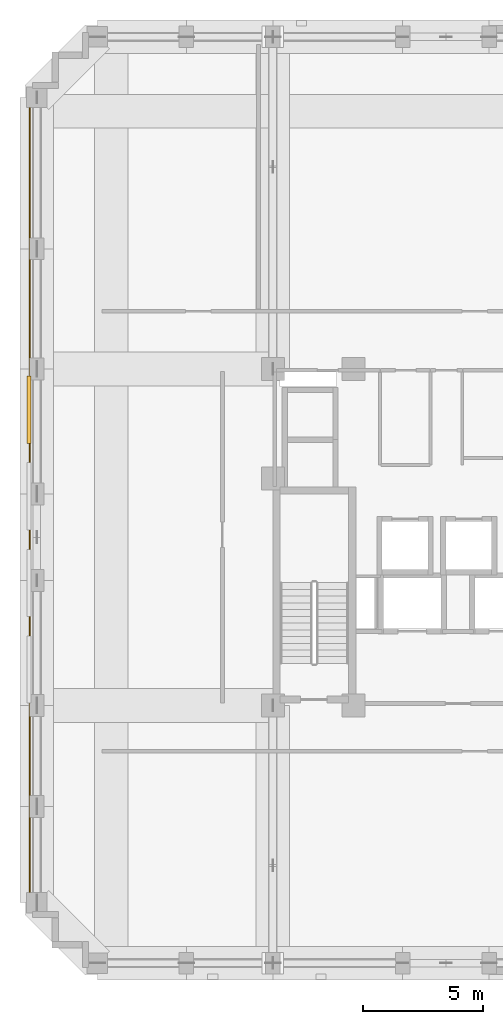
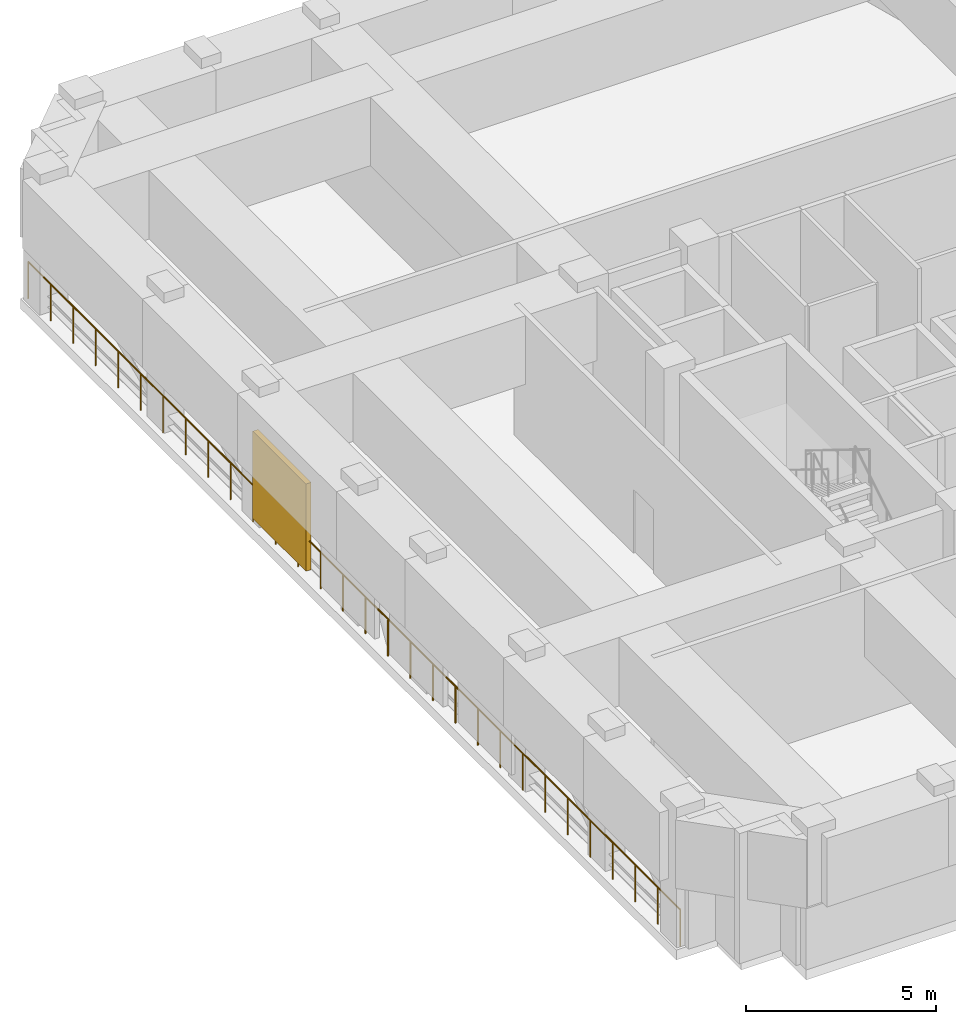
# One storey, part 10 of 12: 1 railing, 1 shading device.
"""IFC4 building model written with IfcOpenShell, lengths in metres."""

from ifc_helpers import new_model, si_unit, derived_unit, direction, frame, origin, origin_2d, place, context, subcontext, project, spatial, rectangle, circle, extrude, material, type_object, element, save


model = new_model("IFC4")

# Units and contexts
model_context = context("Model", 3, precision=1e-05, world=origin(), true_north=direction((0.0, 1.0)))
body_context = subcontext(model_context, "Body", "Model", "MODEL_VIEW")
ifc_project = project(units=[si_unit("LENGTHUNIT", "METRE"), si_unit("AREAUNIT", "SQUARE_METRE"), si_unit("VOLUMEUNIT", "CUBIC_METRE"), si_unit("PLANEANGLEUNIT", "RADIAN"), si_unit("MASSUNIT", "GRAM", prefix="KILO"), derived_unit("THERMALTRANSMITTANCEUNIT", [(si_unit("MASSUNIT", "GRAM", prefix="KILO"), 1), (si_unit("TIMEUNIT", "SECOND"), -3), (si_unit("THERMODYNAMICTEMPERATUREUNIT", "KELVIN"), -1)])], contexts=[model_context])

# Site, building, storey
site_placement = place(None, origin())
site = spatial("IfcSite", under=ifc_project, at=site_placement, CompositionType="ELEMENT")
building_placement = place(site_placement, origin())
building = spatial("IfcBuilding", under=site, at=building_placement, Name="Korrvale Station Residences", CompositionType="ELEMENT")
storey_placement = place(building_placement, frame((0.0, 0.0, 169.89990234375)))
storey = spatial("IfcBuildingStorey", under=building, at=storey_placement, Name="L49", CompositionType="ELEMENT", Elevation=169.89990234375)

# Railing
ifc_material_1 = material(Name="Galvanised steel refuge perimeter guard", Category="steel")
railing_type = type_object("IfcRailingType", Name="RLG-REF-1200", PredefinedType="GUARDRAIL", material=ifc_material_1)
railing_placement = place(storey_placement, frame((7.679931640625, 6.39990234375, 0.0)))
element("IfcRailing", 1, at=railing_placement, inside=storey, type_object=railing_type, Name="L49 Open Refuge Band Perimeter Guard West", PredefinedType="GUARDRAIL", context=body_context, shape_type="SweptSolid", body=[
    extrude(circle(Radius=0.02392578125, at=origin_2d()), frame((0.0, 0.0, 1.17578125), z_axis=(0.0, 1.0, 0.0), x_axis=(-1.0, 0.0, 0.0)), (0.0, 0.0, 1.0), 34.300048828125),
    extrude(circle(Radius=0.02099609375, at=origin_2d()), origin(), (0.0, 0.0, 1.0), 1.15185546875),
    extrude(circle(Radius=0.02099609375, at=origin_2d()), frame((0.0, 1.182861328125, 0.0)), (0.0, 0.0, 1.0), 1.15185546875),
    extrude(circle(Radius=0.02099609375, at=origin_2d()), frame((0.0, 2.365478515625, 0.0)), (0.0, 0.0, 1.0), 1.15185546875),
    extrude(circle(Radius=0.02099609375, at=origin_2d()), frame((0.0, 3.54833984375, 0.0)), (0.0, 0.0, 1.0), 1.15185546875),
    extrude(circle(Radius=0.02099609375, at=origin_2d()), frame((0.0, 4.73095703125, 0.0)), (0.0, 0.0, 1.0), 1.15185546875),
    extrude(circle(Radius=0.02099609375, at=origin_2d()), frame((0.0, 5.913818359375, 0.0)), (0.0, 0.0, 1.0), 1.15185546875),
    extrude(circle(Radius=0.02099609375, at=origin_2d()), frame((0.0, 7.0966796875, 0.0)), (0.0, 0.0, 1.0), 1.15185546875),
    extrude(circle(Radius=0.02099609375, at=origin_2d()), frame((0.0, 8.279296875, 0.0)), (0.0, 0.0, 1.0), 1.15185546875),
    extrude(circle(Radius=0.02099609375, at=origin_2d()), frame((0.0, 9.462158203125, 0.0)), (0.0, 0.0, 1.0), 1.15185546875),
    extrude(circle(Radius=0.02099609375, at=origin_2d()), frame((0.0, 10.644775390625, 0.0)), (0.0, 0.0, 1.0), 1.15185546875),
    extrude(circle(Radius=0.02099609375, at=origin_2d()), frame((0.0, 11.82763671875, 0.0)), (0.0, 0.0, 1.0), 1.15185546875),
    extrude(circle(Radius=0.02099609375, at=origin_2d()), frame((0.0, 13.01025390625, 0.0)), (0.0, 0.0, 1.0), 1.15185546875),
    extrude(circle(Radius=0.02099609375, at=origin_2d()), frame((0.0, 14.193115234375, 0.0)), (0.0, 0.0, 1.0), 1.15185546875),
    extrude(circle(Radius=0.02099609375, at=origin_2d()), frame((0.0, 15.3759765625, 0.0)), (0.0, 0.0, 1.0), 1.15185546875),
    extrude(circle(Radius=0.02099609375, at=origin_2d()), frame((0.0, 16.55859375, 0.0)), (0.0, 0.0, 1.0), 1.15185546875),
    extrude(circle(Radius=0.02099609375, at=origin_2d()), frame((0.0, 17.741455078125, 0.0)), (0.0, 0.0, 1.0), 1.15185546875),
    extrude(circle(Radius=0.02099609375, at=origin_2d()), frame((0.0, 18.924072265625, 0.0)), (0.0, 0.0, 1.0), 1.15185546875),
    extrude(circle(Radius=0.02099609375, at=origin_2d()), frame((0.0, 20.10693359375, 0.0)), (0.0, 0.0, 1.0), 1.15185546875),
    extrude(circle(Radius=0.02099609375, at=origin_2d()), frame((0.0, 21.289794921875, 0.0)), (0.0, 0.0, 1.0), 1.15185546875),
    extrude(circle(Radius=0.02099609375, at=origin_2d()), frame((0.0, 22.472412109375, 0.0)), (0.0, 0.0, 1.0), 1.15185546875),
    extrude(circle(Radius=0.02099609375, at=origin_2d()), frame((0.0, 23.6552734375, 0.0)), (0.0, 0.0, 1.0), 1.15185546875),
    extrude(circle(Radius=0.02099609375, at=origin_2d()), frame((0.0, 24.837890625, 0.0)), (0.0, 0.0, 1.0), 1.15185546875),
    extrude(circle(Radius=0.02099609375, at=origin_2d()), frame((0.0, 26.020751953125, 0.0)), (0.0, 0.0, 1.0), 1.15185546875),
    extrude(circle(Radius=0.02099609375, at=origin_2d()), frame((0.0, 27.203369140625, 0.0)), (0.0, 0.0, 1.0), 1.15185546875),
    extrude(circle(Radius=0.02099609375, at=origin_2d()), frame((0.0, 28.38623046875, 0.0)), (0.0, 0.0, 1.0), 1.15185546875),
    extrude(circle(Radius=0.02099609375, at=origin_2d()), frame((0.0, 29.569091796875, 0.0)), (0.0, 0.0, 1.0), 1.15185546875),
    extrude(circle(Radius=0.02099609375, at=origin_2d()), frame((0.0, 30.751708984375, 0.0)), (0.0, 0.0, 1.0), 1.15185546875),
    extrude(circle(Radius=0.02099609375, at=origin_2d()), frame((0.0, 31.9345703125, 0.0)), (0.0, 0.0, 1.0), 1.15185546875),
    extrude(circle(Radius=0.02099609375, at=origin_2d()), frame((0.0, 33.1171875, 0.0)), (0.0, 0.0, 1.0), 1.15185546875),
    extrude(circle(Radius=0.02099609375, at=origin_2d()), frame((0.0, 34.300048828125, 0.0)), (0.0, 0.0, 1.0), 1.15185546875),
])

# Shading device
ifc_material_2 = material(Name="Powder-coated aluminium acoustic louvre", Category="aluminium")
shading_device_type = type_object("IfcShadingDeviceType", Name="SHD-LVR-REF", PredefinedType="USERDEFINED", material=ifc_material_2)
shading_device_placement = place(storey_placement, frame((7.64990234375, 27.300048828125, 0.25), z_axis=(0.0, 0.0, 1.0), x_axis=(1.0, 0.0, 0.0)))
element("IfcShadingDevice", 2, at=shading_device_placement, inside=storey, type_object=shading_device_type, Name="L49 Open Refuge Band Acoustic Storm Louvre West 4", ObjectType="LOUVRE", PredefinedType="USERDEFINED", context=body_context, shape_type="SweptSolid", body=[
    extrude(rectangle(XDim=0.159912109375, YDim=2.800048828125, at=origin_2d()), origin(), (0.0, 0.0, 1.0), 2.800048828125),
])

save(model, "model.ifc")
